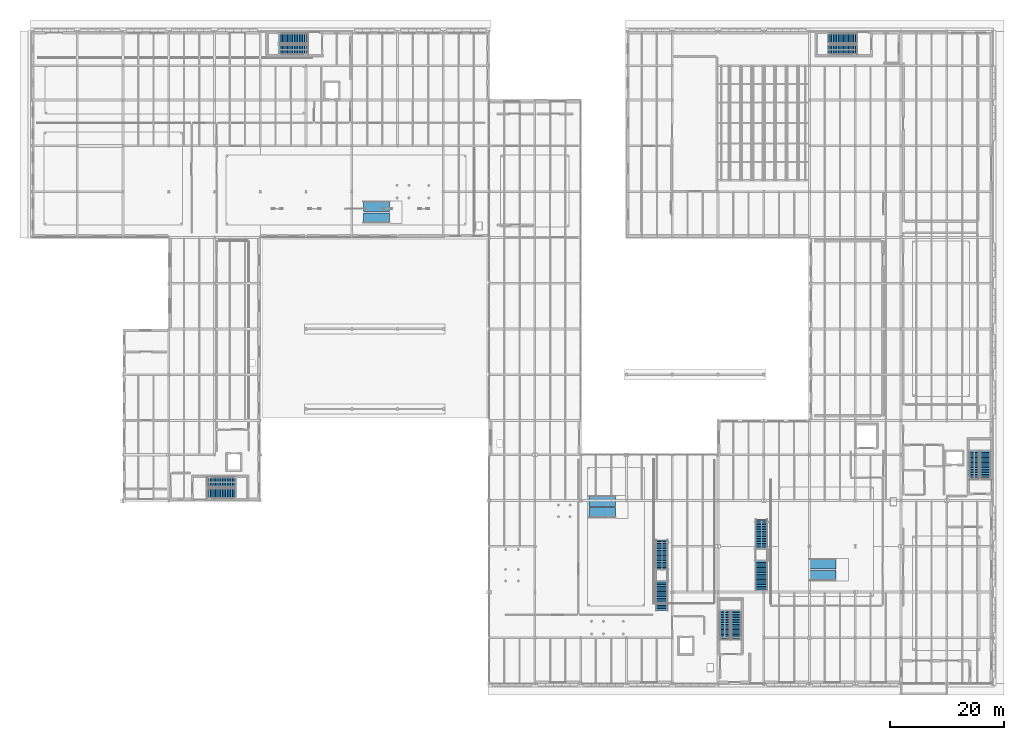
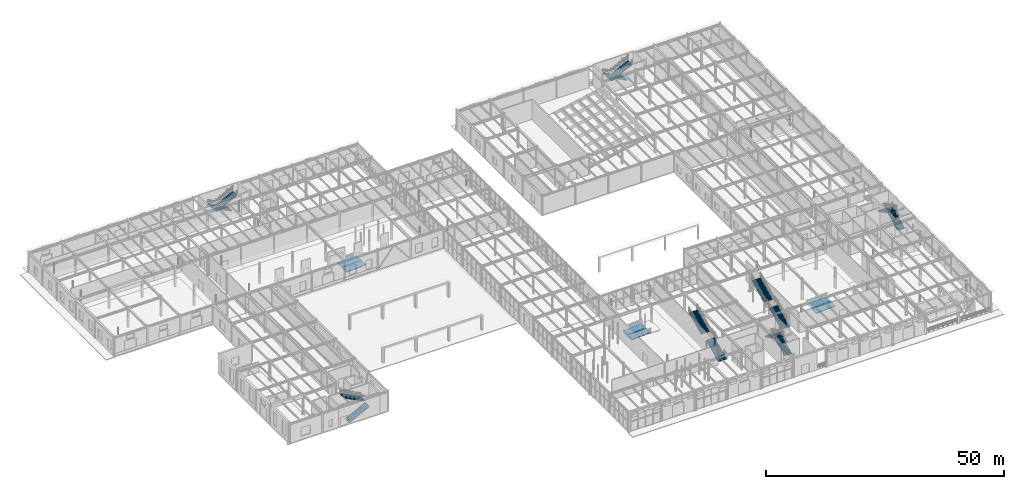
# One storey, part 88 of 129: 14 stair flights, 6 ramp flights, 10 elements without a shape of their own.
"""IFC4 building model written with IfcOpenShell, lengths in metres."""

from ifc_helpers import new_model, si_unit, direction, frame, origin, place, context, subcontext, project, spatial, polyline, outline, extrude, material, layer, layer_set, type_object, element, aggregate, save


model = new_model("IFC4")

# Units and contexts
model_context = context("Model", 3, precision=1e-05, world=origin(), true_north=direction((0.0, 1.0)))
body_context = subcontext(model_context, "Body", "Model", "MODEL_VIEW")
ifc_project = project(units=[si_unit("LENGTHUNIT", "METRE"), si_unit("AREAUNIT", "SQUARE_METRE"), si_unit("VOLUMEUNIT", "CUBIC_METRE"), si_unit("PLANEANGLEUNIT", "RADIAN"), si_unit("MASSUNIT", "GRAM", prefix="KILO")], contexts=[model_context])

# Site, building, storey
site_placement = place(None, origin())
site = spatial("IfcSite", under=ifc_project, at=site_placement, CompositionType="ELEMENT")
building_placement = place(site_placement, origin())
building = spatial("IfcBuilding", under=site, at=building_placement, Name="Sundkrona Museum", CompositionType="ELEMENT")
storey_placement = place(building_placement, origin())
storey = spatial("IfcBuildingStorey", under=building, at=storey_placement, Name="L00", CompositionType="ELEMENT", Elevation=0.0)

# Stair, stair flights
ifc_material_1 = material(Name="Concrete C35/45", Category="concrete")
stair_type_1 = type_object("IfcStairType", Name="ST-DL-540", PredefinedType="HALF_TURN_STAIR", material=ifc_material_1)
stair_1_placement = place(storey_placement, origin())
stair_1 = element("IfcStair", 1, at=stair_1_placement, inside=storey, type_object=stair_type_1, Name="L00 Protected Stair Core ST-1", PredefinedType="HALF_TURN_STAIR")
stair_flight_type_1 = type_object("IfcStairFlightType", Name="SF-180-270", PredefinedType="STRAIGHT", material=ifc_material_1)
stair_flight_1_placement = place(storey_placement, frame((166.800048828125, 35.699951171875, 0.0), z_axis=(0.0, 0.0, 1.0), x_axis=(0.0, 1.0, 0.0)))
stair_flight_1 = element("IfcStairFlight", 2, at=stair_flight_1_placement, type_object=stair_flight_type_1, Name="L00 Protected Stair Core ST-1 Flight 1", NumberOfRisers=18, NumberOfTreads=17, PredefinedType="STRAIGHT", RiserHeight=0.15, TreadLength=0.295, context=body_context, shape_type="SweptSolid", body=[
    extrude(outline(polyline([(0.0, 0.0), (0.0, 0.14990234375), (0.294921875, 0.14990234375), (0.294921875, 0.300048828125), (0.590087890625, 0.300048828125), (0.590087890625, 0.449951171875), (0.885009765625, 0.449951171875), (0.885009765625, 0.60009765625), (1.179931640625, 0.60009765625), (1.179931640625, 0.75), (1.47509765625, 0.75), (1.47509765625, 0.89990234375), (1.77001953125, 0.89990234375), (1.77001953125, 1.050048828125), (2.06494140625, 1.050048828125), (2.06494140625, 1.199951171875), (2.360107421875, 1.199951171875), (2.360107421875, 1.35009765625), (2.655029296875, 1.35009765625), (2.655029296875, 1.5), (2.949951171875, 1.5), (2.949951171875, 1.64990234375), (3.2451171875, 1.64990234375), (3.2451171875, 1.800048828125), (3.5400390625, 1.800048828125), (3.5400390625, 1.949951171875), (3.8349609375, 1.949951171875), (3.8349609375, 2.10009765625), (4.1298828125, 2.10009765625), (4.1298828125, 2.25), (4.425048828125, 2.25), (4.425048828125, 2.39990234375), (4.719970703125, 2.39990234375), (4.719970703125, 2.550048828125), (5.014892578125, 2.550048828125), (5.014892578125, 2.699951171875), (5.014892578125, 2.37060546875), (0.352783203125, 0.0), (0.0, 0.0)])), frame((0.0, 0.89990234375, 0.0), z_axis=(0.0, -1.0, 0.0), x_axis=(1.0, 0.0, 0.0)), (0.0, 0.0, 1.0), 1.800048828125),
])
stair_flight_2_placement = place(storey_placement, frame((164.800048828125, 40.715087890625, 2.699951171875), z_axis=(0.0, 0.0, 1.0), x_axis=(0.0, -1.0, 0.0)))
stair_flight_2 = element("IfcStairFlight", 3, at=stair_flight_2_placement, type_object=stair_flight_type_1, Name="L00 Protected Stair Core ST-1 Flight 2", NumberOfRisers=18, NumberOfTreads=17, PredefinedType="STRAIGHT", RiserHeight=0.15, TreadLength=0.295, context=body_context, shape_type="SweptSolid", body=[
    extrude(outline(polyline([(0.0, 0.0), (0.0, 0.14990234375), (0.294921875, 0.14990234375), (0.294921875, 0.300048828125), (0.590087890625, 0.300048828125), (0.590087890625, 0.449951171875), (0.885009765625, 0.449951171875), (0.885009765625, 0.60009765625), (1.179931640625, 0.60009765625), (1.179931640625, 0.75), (1.47509765625, 0.75), (1.47509765625, 0.89990234375), (1.77001953125, 0.89990234375), (1.77001953125, 1.050048828125), (2.06494140625, 1.050048828125), (2.06494140625, 1.199951171875), (2.360107421875, 1.199951171875), (2.360107421875, 1.35009765625), (2.655029296875, 1.35009765625), (2.655029296875, 1.5), (2.949951171875, 1.5), (2.949951171875, 1.64990234375), (3.2451171875, 1.64990234375), (3.2451171875, 1.800048828125), (3.5400390625, 1.800048828125), (3.5400390625, 1.949951171875), (3.8349609375, 1.949951171875), (3.8349609375, 2.10009765625), (4.1298828125, 2.10009765625), (4.1298828125, 2.25), (4.425048828125, 2.25), (4.425048828125, 2.39990234375), (4.719970703125, 2.39990234375), (4.719970703125, 2.550048828125), (5.014892578125, 2.550048828125), (5.014892578125, 2.699951171875), (5.014892578125, 2.37060546875), (0.352783203125, 0.0), (0.0, 0.0)])), frame((0.0, 0.89990234375, 0.0), z_axis=(0.0, -1.0, 0.0), x_axis=(1.0, 0.0, 0.0)), (0.0, 0.0, 1.0), 1.800048828125),
])
aggregate(stair_1, [stair_flight_1, stair_flight_2])

stair_2_placement = place(storey_placement, origin())
stair_2 = element("IfcStair", 4, at=stair_2_placement, inside=storey, type_object=stair_type_1, Name="L00 Protected Stair Core ST-2", PredefinedType="HALF_TURN_STAIR")
stair_flight_3_placement = place(storey_placement, frame((123.199951171875, 7.699951171875, 0.0), z_axis=(0.0, 0.0, 1.0), x_axis=(0.0, 1.0, 0.0)))
stair_flight_3 = element("IfcStairFlight", 5, at=stair_flight_3_placement, type_object=stair_flight_type_1, Name="L00 Protected Stair Core ST-2 Flight 1", NumberOfRisers=18, NumberOfTreads=17, PredefinedType="STRAIGHT", RiserHeight=0.15, TreadLength=0.295, context=body_context, shape_type="SweptSolid", body=[
    extrude(outline(polyline([(0.0, 0.0), (0.0, 0.14990234375), (0.294921875, 0.14990234375), (0.294921875, 0.300048828125), (0.590087890625, 0.300048828125), (0.590087890625, 0.449951171875), (0.885009765625, 0.449951171875), (0.885009765625, 0.60009765625), (1.179931640625, 0.60009765625), (1.179931640625, 0.75), (1.47509765625, 0.75), (1.47509765625, 0.89990234375), (1.77001953125, 0.89990234375), (1.77001953125, 1.050048828125), (2.06494140625, 1.050048828125), (2.06494140625, 1.199951171875), (2.360107421875, 1.199951171875), (2.360107421875, 1.35009765625), (2.655029296875, 1.35009765625), (2.655029296875, 1.5), (2.949951171875, 1.5), (2.949951171875, 1.64990234375), (3.2451171875, 1.64990234375), (3.2451171875, 1.800048828125), (3.5400390625, 1.800048828125), (3.5400390625, 1.949951171875), (3.8349609375, 1.949951171875), (3.8349609375, 2.10009765625), (4.1298828125, 2.10009765625), (4.1298828125, 2.25), (4.425048828125, 2.25), (4.425048828125, 2.39990234375), (4.719970703125, 2.39990234375), (4.719970703125, 2.550048828125), (5.014892578125, 2.550048828125), (5.014892578125, 2.699951171875), (5.014892578125, 2.37060546875), (0.352783203125, 0.0), (0.0, 0.0)])), frame((0.0, 0.89990234375, 0.0), z_axis=(0.0, -1.0, 0.0), x_axis=(1.0, 0.0, 0.0)), (0.0, 0.0, 1.0), 1.800048828125),
])
stair_flight_4_placement = place(storey_placement, frame((121.199951171875, 12.715087890625, 2.699951171875), z_axis=(0.0, 0.0, 1.0), x_axis=(0.0, -1.0, 0.0)))
stair_flight_4 = element("IfcStairFlight", 6, at=stair_flight_4_placement, type_object=stair_flight_type_1, Name="L00 Protected Stair Core ST-2 Flight 2", NumberOfRisers=18, NumberOfTreads=17, PredefinedType="STRAIGHT", RiserHeight=0.15, TreadLength=0.295, context=body_context, shape_type="SweptSolid", body=[
    extrude(outline(polyline([(0.0, 0.0), (0.0, 0.14990234375), (0.294921875, 0.14990234375), (0.294921875, 0.300048828125), (0.590087890625, 0.300048828125), (0.590087890625, 0.449951171875), (0.885009765625, 0.449951171875), (0.885009765625, 0.60009765625), (1.179931640625, 0.60009765625), (1.179931640625, 0.75), (1.47509765625, 0.75), (1.47509765625, 0.89990234375), (1.77001953125, 0.89990234375), (1.77001953125, 1.050048828125), (2.06494140625, 1.050048828125), (2.06494140625, 1.199951171875), (2.360107421875, 1.199951171875), (2.360107421875, 1.35009765625), (2.655029296875, 1.35009765625), (2.655029296875, 1.5), (2.949951171875, 1.5), (2.949951171875, 1.64990234375), (3.2451171875, 1.64990234375), (3.2451171875, 1.800048828125), (3.5400390625, 1.800048828125), (3.5400390625, 1.949951171875), (3.8349609375, 1.949951171875), (3.8349609375, 2.10009765625), (4.1298828125, 2.10009765625), (4.1298828125, 2.25), (4.425048828125, 2.25), (4.425048828125, 2.39990234375), (4.719970703125, 2.39990234375), (4.719970703125, 2.550048828125), (5.014892578125, 2.550048828125), (5.014892578125, 2.699951171875), (5.014892578125, 2.37060546875), (0.352783203125, 0.0), (0.0, 0.0)])), frame((0.0, 0.89990234375, 0.0), z_axis=(0.0, -1.0, 0.0), x_axis=(1.0, 0.0, 0.0)), (0.0, 0.0, 1.0), 1.800048828125),
])
aggregate(stair_2, [stair_flight_3, stair_flight_4])

stair_3_placement = place(storey_placement, origin())
stair_3 = element("IfcStair", 7, at=stair_3_placement, inside=storey, type_object=stair_type_1, Name="L00 Protected Stair Core ST-3", PredefinedType="HALF_TURN_STAIR")
stair_flight_5_placement = place(storey_placement, frame((48.300048828125, 112.800048828125, 0.0), z_axis=(0.0, 0.0, 1.0), x_axis=(-1.0, 0.0, 0.0)))
stair_flight_5 = element("IfcStairFlight", 8, at=stair_flight_5_placement, type_object=stair_flight_type_1, Name="L00 Protected Stair Core ST-3 Flight 1", NumberOfRisers=18, NumberOfTreads=17, PredefinedType="STRAIGHT", RiserHeight=0.15, TreadLength=0.295, context=body_context, shape_type="SweptSolid", body=[
    extrude(outline(polyline([(0.0, 0.0), (0.0, 0.14990234375), (0.294921875, 0.14990234375), (0.294921875, 0.300048828125), (0.590087890625, 0.300048828125), (0.590087890625, 0.449951171875), (0.885009765625, 0.449951171875), (0.885009765625, 0.60009765625), (1.179931640625, 0.60009765625), (1.179931640625, 0.75), (1.47509765625, 0.75), (1.47509765625, 0.89990234375), (1.77001953125, 0.89990234375), (1.77001953125, 1.050048828125), (2.06494140625, 1.050048828125), (2.06494140625, 1.199951171875), (2.360107421875, 1.199951171875), (2.360107421875, 1.35009765625), (2.655029296875, 1.35009765625), (2.655029296875, 1.5), (2.949951171875, 1.5), (2.949951171875, 1.64990234375), (3.2451171875, 1.64990234375), (3.2451171875, 1.800048828125), (3.5400390625, 1.800048828125), (3.5400390625, 1.949951171875), (3.8349609375, 1.949951171875), (3.8349609375, 2.10009765625), (4.1298828125, 2.10009765625), (4.1298828125, 2.25), (4.425048828125, 2.25), (4.425048828125, 2.39990234375), (4.719970703125, 2.39990234375), (4.719970703125, 2.550048828125), (5.014892578125, 2.550048828125), (5.014892578125, 2.699951171875), (5.014892578125, 2.37060546875), (0.352783203125, 0.0), (0.0, 0.0)])), frame((0.0, 0.89990234375, 0.0), z_axis=(0.0, -1.0, 0.0), x_axis=(1.0, 0.0, 0.0)), (0.0, 0.0, 1.0), 1.800048828125),
])
stair_flight_6_placement = place(storey_placement, frame((43.284912109375, 110.800048828125, 2.699951171875), z_axis=(0.0, 0.0, 1.0), x_axis=(1.0, 0.0, 0.0)))
stair_flight_6 = element("IfcStairFlight", 9, at=stair_flight_6_placement, type_object=stair_flight_type_1, Name="L00 Protected Stair Core ST-3 Flight 2", NumberOfRisers=18, NumberOfTreads=17, PredefinedType="STRAIGHT", RiserHeight=0.15, TreadLength=0.295, context=body_context, shape_type="SweptSolid", body=[
    extrude(outline(polyline([(0.0, 0.0), (0.0, 0.14990234375), (0.294921875, 0.14990234375), (0.294921875, 0.300048828125), (0.590087890625, 0.300048828125), (0.590087890625, 0.449951171875), (0.885009765625, 0.449951171875), (0.885009765625, 0.60009765625), (1.179931640625, 0.60009765625), (1.179931640625, 0.75), (1.47509765625, 0.75), (1.47509765625, 0.89990234375), (1.77001953125, 0.89990234375), (1.77001953125, 1.050048828125), (2.06494140625, 1.050048828125), (2.06494140625, 1.199951171875), (2.360107421875, 1.199951171875), (2.360107421875, 1.35009765625), (2.655029296875, 1.35009765625), (2.655029296875, 1.5), (2.949951171875, 1.5), (2.949951171875, 1.64990234375), (3.2451171875, 1.64990234375), (3.2451171875, 1.800048828125), (3.5400390625, 1.800048828125), (3.5400390625, 1.949951171875), (3.8349609375, 1.949951171875), (3.8349609375, 2.10009765625), (4.1298828125, 2.10009765625), (4.1298828125, 2.25), (4.425048828125, 2.25), (4.425048828125, 2.39990234375), (4.719970703125, 2.39990234375), (4.719970703125, 2.550048828125), (5.014892578125, 2.550048828125), (5.014892578125, 2.699951171875), (5.014892578125, 2.37060546875), (0.352783203125, 0.0), (0.0, 0.0)])), frame((0.0, 0.89990234375, 0.0), z_axis=(0.0, -1.0, 0.0), x_axis=(1.0, 0.0, 0.0)), (0.0, 0.0, 1.0), 1.800048828125),
])
aggregate(stair_3, [stair_flight_5, stair_flight_6])

stair_4_placement = place(storey_placement, origin())
stair_4 = element("IfcStair", 10, at=stair_4_placement, inside=storey, type_object=stair_type_1, Name="L00 Protected Stair Core ST-4", PredefinedType="HALF_TURN_STAIR")
stair_flight_7_placement = place(storey_placement, frame((30.699951171875, 33.199951171875, 0.0), z_axis=(0.0, 0.0, 1.0), x_axis=(1.0, 0.0, 0.0)))
stair_flight_7 = element("IfcStairFlight", 11, at=stair_flight_7_placement, type_object=stair_flight_type_1, Name="L00 Protected Stair Core ST-4 Flight 1", NumberOfRisers=18, NumberOfTreads=17, PredefinedType="STRAIGHT", RiserHeight=0.15, TreadLength=0.295, context=body_context, shape_type="SweptSolid", body=[
    extrude(outline(polyline([(0.0, 0.0), (0.0, 0.14990234375), (0.294921875, 0.14990234375), (0.294921875, 0.300048828125), (0.590087890625, 0.300048828125), (0.590087890625, 0.449951171875), (0.885009765625, 0.449951171875), (0.885009765625, 0.60009765625), (1.179931640625, 0.60009765625), (1.179931640625, 0.75), (1.47509765625, 0.75), (1.47509765625, 0.89990234375), (1.77001953125, 0.89990234375), (1.77001953125, 1.050048828125), (2.06494140625, 1.050048828125), (2.06494140625, 1.199951171875), (2.360107421875, 1.199951171875), (2.360107421875, 1.35009765625), (2.655029296875, 1.35009765625), (2.655029296875, 1.5), (2.949951171875, 1.5), (2.949951171875, 1.64990234375), (3.2451171875, 1.64990234375), (3.2451171875, 1.800048828125), (3.5400390625, 1.800048828125), (3.5400390625, 1.949951171875), (3.8349609375, 1.949951171875), (3.8349609375, 2.10009765625), (4.1298828125, 2.10009765625), (4.1298828125, 2.25), (4.425048828125, 2.25), (4.425048828125, 2.39990234375), (4.719970703125, 2.39990234375), (4.719970703125, 2.550048828125), (5.014892578125, 2.550048828125), (5.014892578125, 2.699951171875), (5.014892578125, 2.37060546875), (0.352783203125, 0.0), (0.0, 0.0)])), frame((0.0, 0.89990234375, 0.0), z_axis=(0.0, -1.0, 0.0), x_axis=(1.0, 0.0, 0.0)), (0.0, 0.0, 1.0), 1.800048828125),
])
stair_flight_8_placement = place(storey_placement, frame((35.715087890625, 35.199951171875, 2.699951171875), z_axis=(0.0, 0.0, 1.0), x_axis=(-1.0, 0.0, 0.0)))
stair_flight_8 = element("IfcStairFlight", 12, at=stair_flight_8_placement, type_object=stair_flight_type_1, Name="L00 Protected Stair Core ST-4 Flight 2", NumberOfRisers=18, NumberOfTreads=17, PredefinedType="STRAIGHT", RiserHeight=0.15, TreadLength=0.295, context=body_context, shape_type="SweptSolid", body=[
    extrude(outline(polyline([(0.0, 0.0), (0.0, 0.14990234375), (0.294921875, 0.14990234375), (0.294921875, 0.300048828125), (0.590087890625, 0.300048828125), (0.590087890625, 0.449951171875), (0.885009765625, 0.449951171875), (0.885009765625, 0.60009765625), (1.179931640625, 0.60009765625), (1.179931640625, 0.75), (1.47509765625, 0.75), (1.47509765625, 0.89990234375), (1.77001953125, 0.89990234375), (1.77001953125, 1.050048828125), (2.06494140625, 1.050048828125), (2.06494140625, 1.199951171875), (2.360107421875, 1.199951171875), (2.360107421875, 1.35009765625), (2.655029296875, 1.35009765625), (2.655029296875, 1.5), (2.949951171875, 1.5), (2.949951171875, 1.64990234375), (3.2451171875, 1.64990234375), (3.2451171875, 1.800048828125), (3.5400390625, 1.800048828125), (3.5400390625, 1.949951171875), (3.8349609375, 1.949951171875), (3.8349609375, 2.10009765625), (4.1298828125, 2.10009765625), (4.1298828125, 2.25), (4.425048828125, 2.25), (4.425048828125, 2.39990234375), (4.719970703125, 2.39990234375), (4.719970703125, 2.550048828125), (5.014892578125, 2.550048828125), (5.014892578125, 2.699951171875), (5.014892578125, 2.37060546875), (0.352783203125, 0.0), (0.0, 0.0)])), frame((0.0, 0.89990234375, 0.0), z_axis=(0.0, -1.0, 0.0), x_axis=(1.0, 0.0, 0.0)), (0.0, 0.0, 1.0), 1.800048828125),
])
aggregate(stair_4, [stair_flight_7, stair_flight_8])

stair_5_placement = place(storey_placement, origin())
stair_5 = element("IfcStair", 13, at=stair_5_placement, inside=storey, type_object=stair_type_1, Name="L00 Protected Stair Core ST-5", PredefinedType="HALF_TURN_STAIR")
stair_flight_9_placement = place(storey_placement, frame((144.300048828125, 112.800048828125, 0.0), z_axis=(0.0, 0.0, 1.0), x_axis=(-1.0, 0.0, 0.0)))
stair_flight_9 = element("IfcStairFlight", 14, at=stair_flight_9_placement, type_object=stair_flight_type_1, Name="L00 Protected Stair Core ST-5 Flight 1", NumberOfRisers=18, NumberOfTreads=17, PredefinedType="STRAIGHT", RiserHeight=0.15, TreadLength=0.295, context=body_context, shape_type="SweptSolid", body=[
    extrude(outline(polyline([(0.0, 0.0), (0.0, 0.14990234375), (0.294921875, 0.14990234375), (0.294921875, 0.300048828125), (0.590087890625, 0.300048828125), (0.590087890625, 0.449951171875), (0.885009765625, 0.449951171875), (0.885009765625, 0.60009765625), (1.179931640625, 0.60009765625), (1.179931640625, 0.75), (1.47509765625, 0.75), (1.47509765625, 0.89990234375), (1.77001953125, 0.89990234375), (1.77001953125, 1.050048828125), (2.06494140625, 1.050048828125), (2.06494140625, 1.199951171875), (2.360107421875, 1.199951171875), (2.360107421875, 1.35009765625), (2.655029296875, 1.35009765625), (2.655029296875, 1.5), (2.949951171875, 1.5), (2.949951171875, 1.64990234375), (3.2451171875, 1.64990234375), (3.2451171875, 1.800048828125), (3.5400390625, 1.800048828125), (3.5400390625, 1.949951171875), (3.8349609375, 1.949951171875), (3.8349609375, 2.10009765625), (4.1298828125, 2.10009765625), (4.1298828125, 2.25), (4.425048828125, 2.25), (4.425048828125, 2.39990234375), (4.719970703125, 2.39990234375), (4.719970703125, 2.550048828125), (5.014892578125, 2.550048828125), (5.014892578125, 2.699951171875), (5.014892578125, 2.37060546875), (0.352783203125, 0.0), (0.0, 0.0)])), frame((0.0, 0.89990234375, 0.0), z_axis=(0.0, -1.0, 0.0), x_axis=(1.0, 0.0, 0.0)), (0.0, 0.0, 1.0), 1.800048828125),
])
stair_flight_10_placement = place(storey_placement, frame((139.284912109375, 110.800048828125, 2.699951171875), z_axis=(0.0, 0.0, 1.0), x_axis=(1.0, 0.0, 0.0)))
stair_flight_10 = element("IfcStairFlight", 15, at=stair_flight_10_placement, type_object=stair_flight_type_1, Name="L00 Protected Stair Core ST-5 Flight 2", NumberOfRisers=18, NumberOfTreads=17, PredefinedType="STRAIGHT", RiserHeight=0.15, TreadLength=0.295, context=body_context, shape_type="SweptSolid", body=[
    extrude(outline(polyline([(0.0, 0.0), (0.0, 0.14990234375), (0.294921875, 0.14990234375), (0.294921875, 0.300048828125), (0.590087890625, 0.300048828125), (0.590087890625, 0.449951171875), (0.885009765625, 0.449951171875), (0.885009765625, 0.60009765625), (1.179931640625, 0.60009765625), (1.179931640625, 0.75), (1.47509765625, 0.75), (1.47509765625, 0.89990234375), (1.77001953125, 0.89990234375), (1.77001953125, 1.050048828125), (2.06494140625, 1.050048828125), (2.06494140625, 1.199951171875), (2.360107421875, 1.199951171875), (2.360107421875, 1.35009765625), (2.655029296875, 1.35009765625), (2.655029296875, 1.5), (2.949951171875, 1.5), (2.949951171875, 1.64990234375), (3.2451171875, 1.64990234375), (3.2451171875, 1.800048828125), (3.5400390625, 1.800048828125), (3.5400390625, 1.949951171875), (3.8349609375, 1.949951171875), (3.8349609375, 2.10009765625), (4.1298828125, 2.10009765625), (4.1298828125, 2.25), (4.425048828125, 2.25), (4.425048828125, 2.39990234375), (4.719970703125, 2.39990234375), (4.719970703125, 2.550048828125), (5.014892578125, 2.550048828125), (5.014892578125, 2.699951171875), (5.014892578125, 2.37060546875), (0.352783203125, 0.0), (0.0, 0.0)])), frame((0.0, 0.89990234375, 0.0), z_axis=(0.0, -1.0, 0.0), x_axis=(1.0, 0.0, 0.0)), (0.0, 0.0, 1.0), 1.800048828125),
])
aggregate(stair_5, [stair_flight_9, stair_flight_10])

ifc_material_2 = material(Name="Steel S355J2 and Terrazzo Treads", Category="steel")
stair_type_2 = type_object("IfcStairType", Name="ST-FS-540", PredefinedType="STRAIGHT_RUN_STAIR", material=ifc_material_2)
stair_6_placement = place(storey_placement, origin())
stair_6 = element("IfcStair", 16, at=stair_6_placement, inside=storey, type_object=stair_type_2, Name="L00 Feature Stair FS-1", PredefinedType="STRAIGHT_RUN_STAIR")
ifc_material_3 = material(Name="Steel S355J2 and Terrazzo", Category="steel")
stair_flight_type_2 = type_object("IfcStairFlightType", Name="SF-210-FS", PredefinedType="STRAIGHT", material=ifc_material_3)
stair_flight_11_placement = place(storey_placement, frame((110.199951171875, 12.800048828125, 0.0), z_axis=(0.0, 0.0, 1.0), x_axis=(0.0, 1.0, 0.0)))
stair_flight_11 = element("IfcStairFlight", 17, at=stair_flight_11_placement, type_object=stair_flight_type_2, Name="L00 Feature Stair FS-1 Flight 1", NumberOfRisers=18, NumberOfTreads=17, PredefinedType="STRAIGHT", RiserHeight=0.15, TreadLength=0.3, context=body_context, shape_type="SweptSolid", body=[
    extrude(outline(polyline([(0.0, 0.0), (0.0, 0.14990234375), (0.300048828125, 0.14990234375), (0.300048828125, 0.300048828125), (0.60009765625, 0.300048828125), (0.60009765625, 0.449951171875), (0.89990234375, 0.449951171875), (0.89990234375, 0.60009765625), (1.199951171875, 0.60009765625), (1.199951171875, 0.75), (1.5, 0.75), (1.5, 0.89990234375), (1.800048828125, 0.89990234375), (1.800048828125, 1.050048828125), (2.10009765625, 1.050048828125), (2.10009765625, 1.199951171875), (2.39990234375, 1.199951171875), (2.39990234375, 1.35009765625), (2.699951171875, 1.35009765625), (2.699951171875, 1.5), (3.0, 1.5), (3.0, 1.64990234375), (3.300048828125, 1.64990234375), (3.300048828125, 1.800048828125), (3.60009765625, 1.800048828125), (3.60009765625, 1.949951171875), (3.89990234375, 1.949951171875), (3.89990234375, 2.10009765625), (4.199951171875, 2.10009765625), (4.199951171875, 2.25), (4.5, 2.25), (4.5, 2.39990234375), (4.800048828125, 2.39990234375), (4.800048828125, 2.550048828125), (5.10009765625, 2.550048828125), (5.10009765625, 2.699951171875), (5.10009765625, 2.348876953125), (0.40234375, 0.0), (0.0, 0.0)])), frame((0.0, 1.050048828125, 0.0), z_axis=(0.0, -1.0, 0.0), x_axis=(1.0, 0.0, 0.0)), (0.0, 0.0, 1.0), 2.10009765625),
])
stair_flight_12_placement = place(storey_placement, frame((110.199951171875, 20.0, 2.699951171875), z_axis=(0.0, 0.0, 1.0), x_axis=(0.0, 1.0, 0.0)))
stair_flight_12 = element("IfcStairFlight", 18, at=stair_flight_12_placement, type_object=stair_flight_type_2, Name="L00 Feature Stair FS-1 Flight 2", NumberOfRisers=18, NumberOfTreads=17, PredefinedType="STRAIGHT", RiserHeight=0.15, TreadLength=0.3, context=body_context, shape_type="SweptSolid", body=[
    extrude(outline(polyline([(0.0, 0.0), (0.0, 0.14990234375), (0.300048828125, 0.14990234375), (0.300048828125, 0.300048828125), (0.60009765625, 0.300048828125), (0.60009765625, 0.449951171875), (0.89990234375, 0.449951171875), (0.89990234375, 0.60009765625), (1.199951171875, 0.60009765625), (1.199951171875, 0.75), (1.5, 0.75), (1.5, 0.89990234375), (1.800048828125, 0.89990234375), (1.800048828125, 1.050048828125), (2.10009765625, 1.050048828125), (2.10009765625, 1.199951171875), (2.39990234375, 1.199951171875), (2.39990234375, 1.35009765625), (2.699951171875, 1.35009765625), (2.699951171875, 1.5), (3.0, 1.5), (3.0, 1.64990234375), (3.300048828125, 1.64990234375), (3.300048828125, 1.800048828125), (3.60009765625, 1.800048828125), (3.60009765625, 1.949951171875), (3.89990234375, 1.949951171875), (3.89990234375, 2.10009765625), (4.199951171875, 2.10009765625), (4.199951171875, 2.25), (4.5, 2.25), (4.5, 2.39990234375), (4.800048828125, 2.39990234375), (4.800048828125, 2.550048828125), (5.10009765625, 2.550048828125), (5.10009765625, 2.699951171875), (5.10009765625, 2.348876953125), (0.40234375, 0.0), (0.0, 0.0)])), frame((0.0, 1.050048828125, 0.0), z_axis=(0.0, -1.0, 0.0), x_axis=(1.0, 0.0, 0.0)), (0.0, 0.0, 1.0), 2.10009765625),
])
aggregate(stair_6, [stair_flight_11, stair_flight_12])

stair_7_placement = place(storey_placement, origin())
stair_7 = element("IfcStair", 19, at=stair_7_placement, inside=storey, type_object=stair_type_2, Name="L00 Feature Stair FS-5", PredefinedType="STRAIGHT_RUN_STAIR")
stair_flight_13_placement = place(storey_placement, frame((127.60009765625, 16.39990234375, 0.0), z_axis=(0.0, 0.0, 1.0), x_axis=(0.0, 1.0, 0.0)))
stair_flight_13 = element("IfcStairFlight", 20, at=stair_flight_13_placement, type_object=stair_flight_type_2, Name="L00 Feature Stair FS-5 Flight 1", NumberOfRisers=18, NumberOfTreads=17, PredefinedType="STRAIGHT", RiserHeight=0.15, TreadLength=0.3, context=body_context, shape_type="SweptSolid", body=[
    extrude(outline(polyline([(0.0, 0.0), (0.0, 0.14990234375), (0.300048828125, 0.14990234375), (0.300048828125, 0.300048828125), (0.60009765625, 0.300048828125), (0.60009765625, 0.449951171875), (0.89990234375, 0.449951171875), (0.89990234375, 0.60009765625), (1.199951171875, 0.60009765625), (1.199951171875, 0.75), (1.5, 0.75), (1.5, 0.89990234375), (1.800048828125, 0.89990234375), (1.800048828125, 1.050048828125), (2.10009765625, 1.050048828125), (2.10009765625, 1.199951171875), (2.39990234375, 1.199951171875), (2.39990234375, 1.35009765625), (2.699951171875, 1.35009765625), (2.699951171875, 1.5), (3.0, 1.5), (3.0, 1.64990234375), (3.300048828125, 1.64990234375), (3.300048828125, 1.800048828125), (3.60009765625, 1.800048828125), (3.60009765625, 1.949951171875), (3.89990234375, 1.949951171875), (3.89990234375, 2.10009765625), (4.199951171875, 2.10009765625), (4.199951171875, 2.25), (4.5, 2.25), (4.5, 2.39990234375), (4.800048828125, 2.39990234375), (4.800048828125, 2.550048828125), (5.10009765625, 2.550048828125), (5.10009765625, 2.699951171875), (5.10009765625, 2.348876953125), (0.40234375, 0.0), (0.0, 0.0)])), frame((0.0, 1.050048828125, 0.0), z_axis=(0.0, -1.0, 0.0), x_axis=(1.0, 0.0, 0.0)), (0.0, 0.0, 1.0), 2.10009765625),
])
stair_flight_14_placement = place(storey_placement, frame((127.60009765625, 23.60009765625, 2.699951171875), z_axis=(0.0, 0.0, 1.0), x_axis=(0.0, 1.0, 0.0)))
stair_flight_14 = element("IfcStairFlight", 21, at=stair_flight_14_placement, type_object=stair_flight_type_2, Name="L00 Feature Stair FS-5 Flight 2", NumberOfRisers=18, NumberOfTreads=17, PredefinedType="STRAIGHT", RiserHeight=0.15, TreadLength=0.3, context=body_context, shape_type="SweptSolid", body=[
    extrude(outline(polyline([(0.0, 0.0), (0.0, 0.14990234375), (0.300048828125, 0.14990234375), (0.300048828125, 0.300048828125), (0.60009765625, 0.300048828125), (0.60009765625, 0.449951171875), (0.89990234375, 0.449951171875), (0.89990234375, 0.60009765625), (1.199951171875, 0.60009765625), (1.199951171875, 0.75), (1.5, 0.75), (1.5, 0.89990234375), (1.800048828125, 0.89990234375), (1.800048828125, 1.050048828125), (2.10009765625, 1.050048828125), (2.10009765625, 1.199951171875), (2.39990234375, 1.199951171875), (2.39990234375, 1.35009765625), (2.699951171875, 1.35009765625), (2.699951171875, 1.5), (3.0, 1.5), (3.0, 1.64990234375), (3.300048828125, 1.64990234375), (3.300048828125, 1.800048828125), (3.60009765625, 1.800048828125), (3.60009765625, 1.949951171875), (3.89990234375, 1.949951171875), (3.89990234375, 2.10009765625), (4.199951171875, 2.10009765625), (4.199951171875, 2.25), (4.5, 2.25), (4.5, 2.39990234375), (4.800048828125, 2.39990234375), (4.800048828125, 2.550048828125), (5.10009765625, 2.550048828125), (5.10009765625, 2.699951171875), (5.10009765625, 2.348876953125), (0.40234375, 0.0), (0.0, 0.0)])), frame((0.0, 1.050048828125, 0.0), z_axis=(0.0, -1.0, 0.0), x_axis=(1.0, 0.0, 0.0)), (0.0, 0.0, 1.0), 2.10009765625),
])
aggregate(stair_7, [stair_flight_13, stair_flight_14])

# Ramp, ramp flights
ramp_type = type_object("IfcRampType", Name="RMP-ACC-180", PredefinedType="HALF_TURN_RAMP", material=ifc_material_1)
ramp_1_placement = place(storey_placement, origin())
ramp_1 = element("IfcRamp", 22, at=ramp_1_placement, inside=storey, type_object=ramp_type, Name="L00 Accessible Gallery Dais Ramp RMP-01", PredefinedType="HALF_TURN_RAMP")
ifc_layer = layer(ifc_material_1, 0.199951171875)
ifc_layer_set = layer_set([ifc_layer], Name="Concrete C35/45")
ramp_flight_type = type_object("IfcRampFlightType", Name="RMF-ACC-180", PredefinedType="STRAIGHT", material=ifc_layer_set)
ramp_flight_1_placement = place(storey_placement, frame((97.5, 29.89990234375, 0.014892578125), z_axis=(0.0, 0.0, 1.0), x_axis=(1.0, 0.0, 0.0)))
ramp_flight_1 = element("IfcRampFlight", 23, at=ramp_flight_1_placement, type_object=ramp_flight_type, Name="RMP-01 Up Flight", PredefinedType="STRAIGHT", context=body_context, shape_type="SweptSolid", body=[
    extrude(outline(polyline([(0.0, -0.199951171875), (4.60009765625, 0.065185546875), (4.60009765625, 0.26513671875), (0.0, 0.0), (0.0, -0.199951171875)])), frame((0.0, 0.89990234375, 0.0), z_axis=(0.0, -1.0, 0.0), x_axis=(1.0, 0.0, 0.0)), (0.0, 0.0, 1.0), 1.800048828125),
])
ramp_flight_2_placement = place(storey_placement, frame((102.10009765625, 31.89990234375, 0.280029296875), z_axis=(0.0, 0.0, 1.0), x_axis=(-1.0, 0.0, 0.0)))
ramp_flight_2 = element("IfcRampFlight", 24, at=ramp_flight_2_placement, type_object=ramp_flight_type, Name="RMP-01 Return Flight", PredefinedType="STRAIGHT", context=body_context, shape_type="SweptSolid", body=[
    extrude(outline(polyline([(0.0, -0.199951171875), (4.60009765625, -0.465087890625), (4.60009765625, -0.26513671875), (0.0, 0.0), (0.0, -0.199951171875)])), frame((0.0, 0.89990234375, 0.0), z_axis=(0.0, -1.0, 0.0), x_axis=(1.0, 0.0, 0.0)), (0.0, 0.0, 1.0), 1.800048828125),
])
aggregate(ramp_1, [ramp_flight_1, ramp_flight_2])

ramp_2_placement = place(storey_placement, origin())
ramp_2 = element("IfcRamp", 25, at=ramp_2_placement, inside=storey, type_object=ramp_type, Name="L00 Accessible Gallery Dais Ramp RMP-02", PredefinedType="HALF_TURN_RAMP")
ramp_flight_3_placement = place(storey_placement, frame((136.0, 18.89990234375, 0.014892578125), z_axis=(0.0, 0.0, 1.0), x_axis=(1.0, 0.0, 0.0)))
ramp_flight_3 = element("IfcRampFlight", 26, at=ramp_flight_3_placement, type_object=ramp_flight_type, Name="RMP-02 Up Flight", PredefinedType="STRAIGHT", context=body_context, shape_type="SweptSolid", body=[
    extrude(outline(polyline([(0.0, -0.199951171875), (4.60009765625, 0.065185546875), (4.60009765625, 0.26513671875), (0.0, 0.0), (0.0, -0.199951171875)])), frame((0.0, 0.89990234375, 0.0), z_axis=(0.0, -1.0, 0.0), x_axis=(1.0, 0.0, 0.0)), (0.0, 0.0, 1.0), 1.800048828125),
])
ramp_flight_4_placement = place(storey_placement, frame((140.60009765625, 20.89990234375, 0.280029296875), z_axis=(0.0, 0.0, 1.0), x_axis=(-1.0, 0.0, 0.0)))
ramp_flight_4 = element("IfcRampFlight", 27, at=ramp_flight_4_placement, type_object=ramp_flight_type, Name="RMP-02 Return Flight", PredefinedType="STRAIGHT", context=body_context, shape_type="SweptSolid", body=[
    extrude(outline(polyline([(0.0, -0.199951171875), (4.60009765625, -0.465087890625), (4.60009765625, -0.26513671875), (0.0, 0.0), (0.0, -0.199951171875)])), frame((0.0, 0.89990234375, 0.0), z_axis=(0.0, -1.0, 0.0), x_axis=(1.0, 0.0, 0.0)), (0.0, 0.0, 1.0), 1.800048828125),
])
aggregate(ramp_2, [ramp_flight_3, ramp_flight_4])

ramp_3_placement = place(storey_placement, origin())
ramp_3 = element("IfcRamp", 28, at=ramp_3_placement, inside=storey, type_object=ramp_type, Name="L00 Accessible Gallery Dais Ramp RMP-03", PredefinedType="HALF_TURN_RAMP")
ramp_flight_5_placement = place(storey_placement, frame((58.0, 81.39990234375, 0.014892578125), z_axis=(0.0, 0.0, 1.0), x_axis=(1.0, 0.0, 0.0)))
ramp_flight_5 = element("IfcRampFlight", 29, at=ramp_flight_5_placement, type_object=ramp_flight_type, Name="RMP-03 Up Flight", PredefinedType="STRAIGHT", context=body_context, shape_type="SweptSolid", body=[
    extrude(outline(polyline([(0.0, -0.199951171875), (4.60009765625, 0.065185546875), (4.60009765625, 0.26513671875), (0.0, 0.0), (0.0, -0.199951171875)])), frame((0.0, 0.89990234375, 0.0), z_axis=(0.0, -1.0, 0.0), x_axis=(1.0, 0.0, 0.0)), (0.0, 0.0, 1.0), 1.800048828125),
])
ramp_flight_6_placement = place(storey_placement, frame((62.60009765625, 83.39990234375, 0.280029296875), z_axis=(0.0, 0.0, 1.0), x_axis=(-1.0, 0.0, 0.0)))
ramp_flight_6 = element("IfcRampFlight", 30, at=ramp_flight_6_placement, type_object=ramp_flight_type, Name="RMP-03 Return Flight", PredefinedType="STRAIGHT", context=body_context, shape_type="SweptSolid", body=[
    extrude(outline(polyline([(0.0, -0.199951171875), (4.60009765625, -0.465087890625), (4.60009765625, -0.26513671875), (0.0, 0.0), (0.0, -0.199951171875)])), frame((0.0, 0.89990234375, 0.0), z_axis=(0.0, -1.0, 0.0), x_axis=(1.0, 0.0, 0.0)), (0.0, 0.0, 1.0), 1.800048828125),
])
aggregate(ramp_3, [ramp_flight_5, ramp_flight_6])

save(model, "model.ifc")
